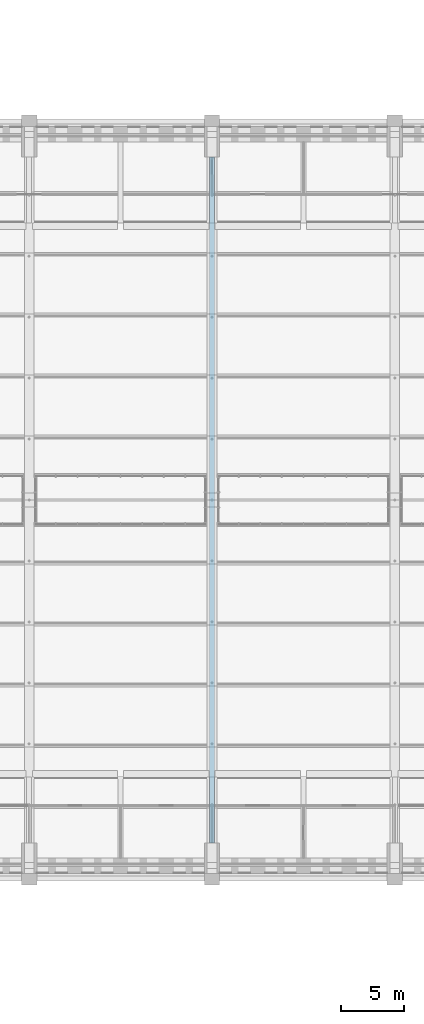
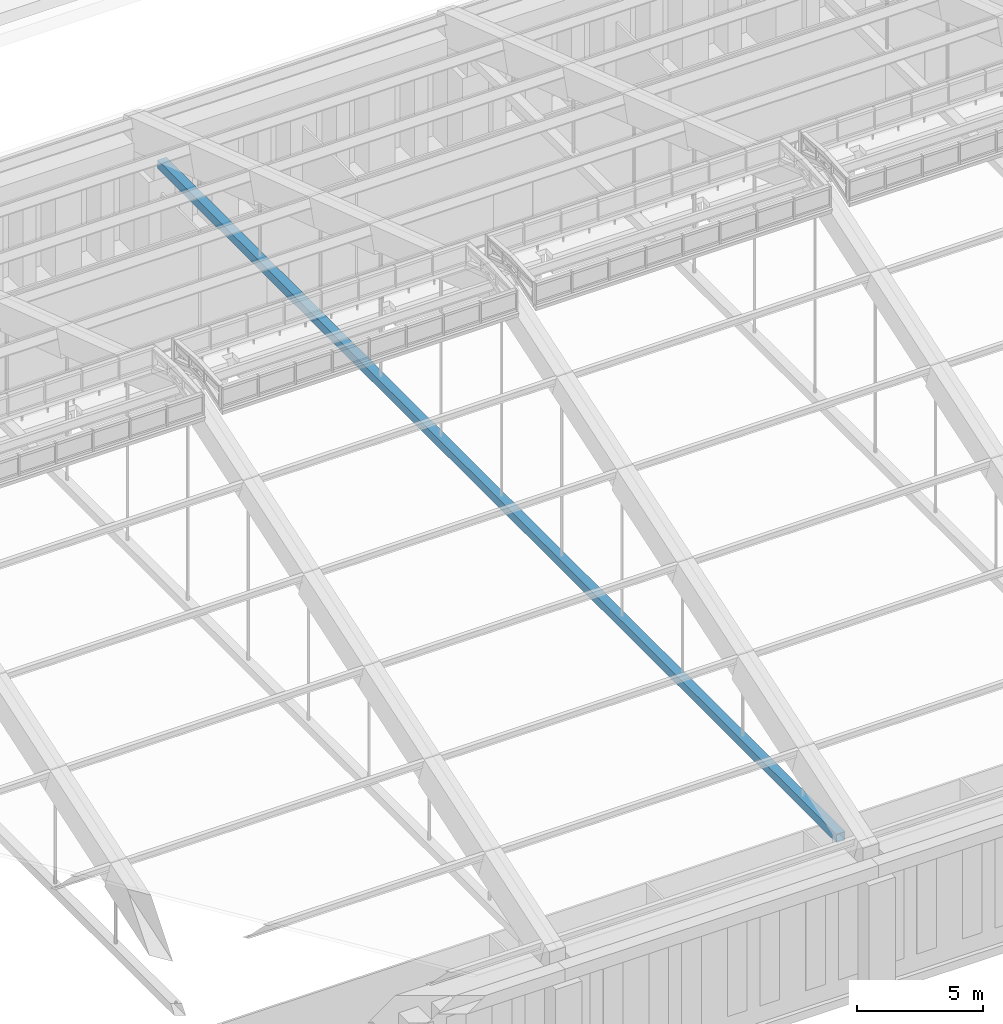
# One storey, part 53 of 149: 1 member.
"""IFC4 building model written with IfcOpenShell, lengths in metres."""

from ifc_helpers import new_model, si_unit, direction, frame, origin, origin_2d, place, context, subcontext, project, spatial, hollow_rectangle, extrude, material, material_profile, profile_set, type_object, element, save


model = new_model("IFC4")

# Units and contexts
model_context = context("Model", 3, precision=1e-05, world=origin(), true_north=direction((0.0, 1.0)))
body_context = subcontext(model_context, "Body", "Model", "MODEL_VIEW")
ifc_project = project(units=[si_unit("LENGTHUNIT", "METRE"), si_unit("AREAUNIT", "SQUARE_METRE"), si_unit("VOLUMEUNIT", "CUBIC_METRE"), si_unit("PLANEANGLEUNIT", "RADIAN"), si_unit("MASSUNIT", "GRAM", prefix="KILO")], contexts=[model_context])

# Site, building, storey
site_placement = place(None, origin())
site = spatial("IfcSite", under=ifc_project, at=site_placement, CompositionType="ELEMENT")
building_placement = place(site_placement, origin())
building = spatial("IfcBuilding", under=site, at=building_placement, Name="Alderwick Market Hall", CompositionType="ELEMENT")
storey_placement = place(building_placement, frame((0.0, 0.0, 9.60009765625)))
storey = spatial("IfcBuildingStorey", under=building, at=storey_placement, Name="L01", CompositionType="ELEMENT", Elevation=9.60009765625)

# Member
ifc_material = material(Name="Steel ASTM A500 Grade C", Category="steel")
ifc_material_profile = material_profile(ifc_material, hollow_rectangle(XDim=0.406494140625, YDim=0.406494140625, WallThickness=0.0146484375, at=origin_2d()), Name="HSS16x16x5/8")
ifc_profile_set = profile_set([ifc_material_profile], Name="Steel ASTM A500 Grade C")
member_type = type_object("IfcMemberType", Name="R Tie HSS16x16x5/8", PredefinedType="USERDEFINED", material=ifc_profile_set)
member_placement = place(storey_placement, frame((93.60009765625, 52.199951171875, 6.14990234375), z_axis=(0.0, 1.0, 0.0), x_axis=(-1.0, 0.0, 0.0)))
element("IfcMember", 1, at=member_placement, inside=storey, type_object=member_type, Name="Arch tie 4", ObjectType="TIE", PredefinedType="USERDEFINED", context=body_context, shape_type="SweptSolid", body=[
    extrude(hollow_rectangle(XDim=0.406494140625, YDim=0.406494140625, WallThickness=0.0146484375, at=origin_2d()), origin(), (0.0, 0.0, 1.0), 54.0),
])

save(model, "model.ifc")
